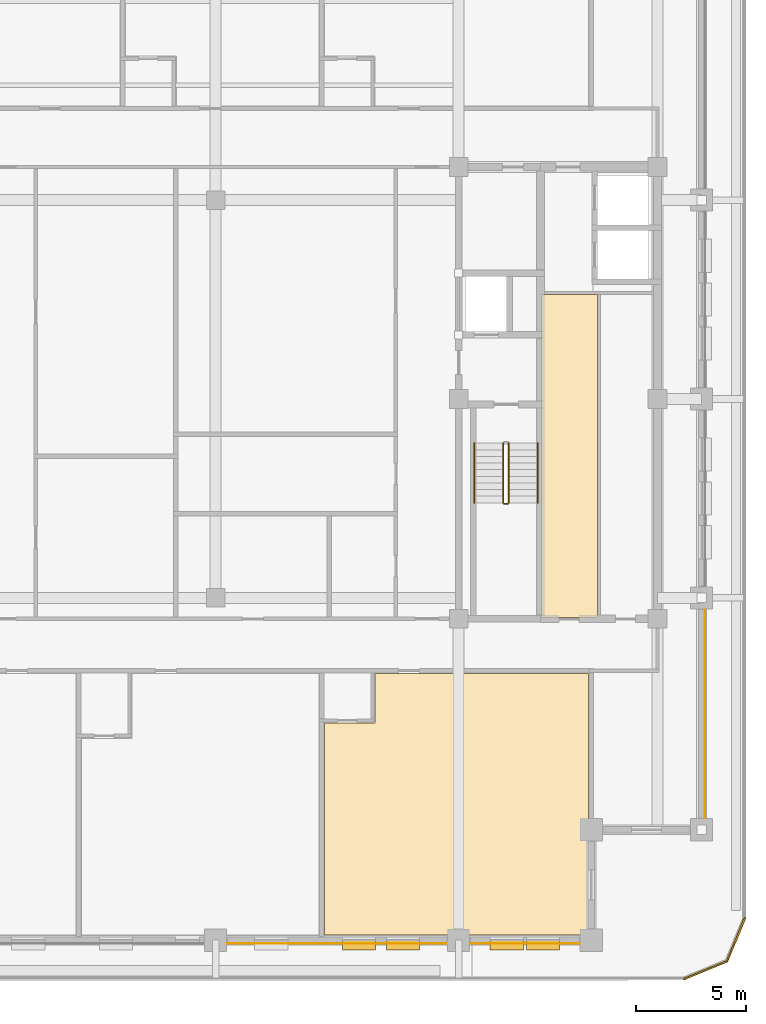
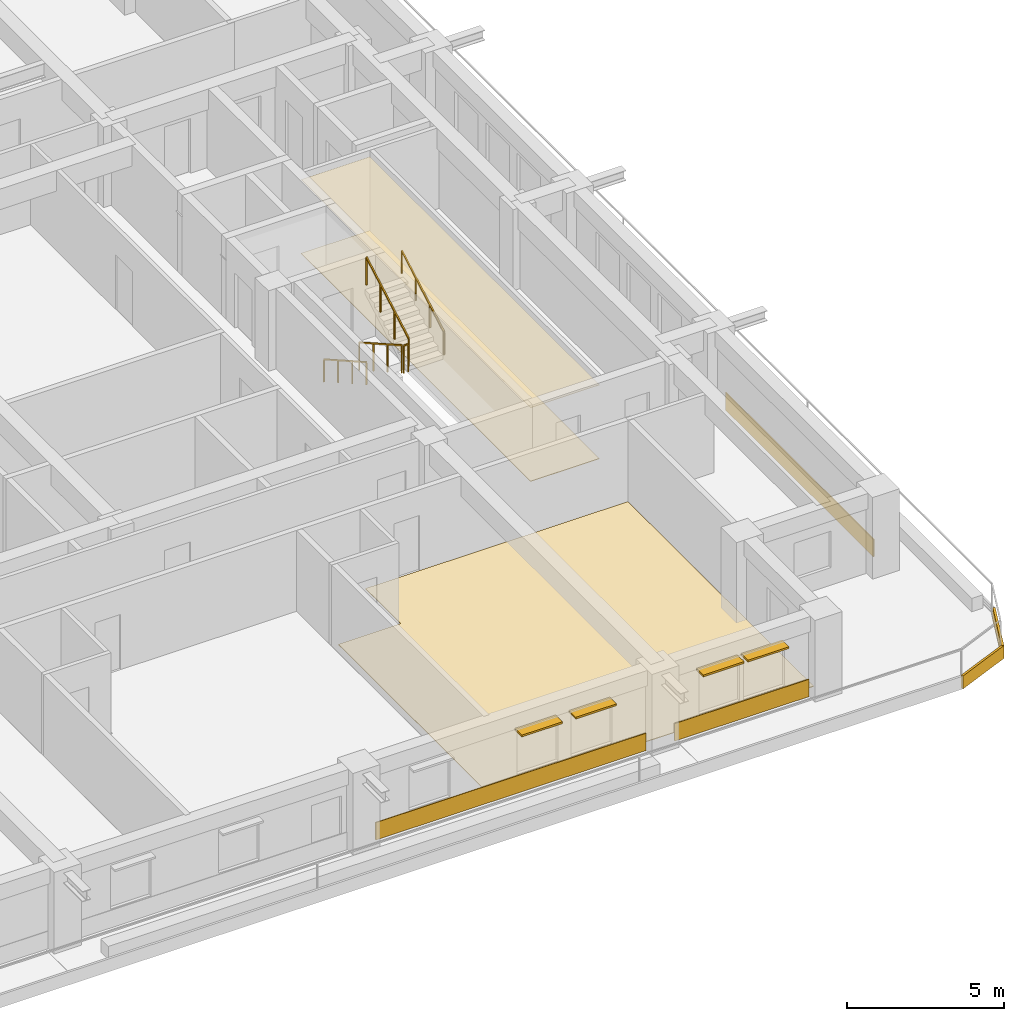
# One storey, part 12 of 14: 8 coverings, 5 railings, 4 shading devices.
"""IFC4 building model written with IfcOpenShell, lengths in metres."""

from ifc_helpers import new_model, si_unit, direction, frame, frame_2d, origin, origin_2d, place, context, subcontext, project, spatial, polyline, rectangle, outline, extrude, material, layer, layer_set, type_object, element, save


model = new_model("IFC4")

# Units and contexts
model_context = context("Model", 3, precision=1e-05, world=origin(), true_north=direction((0.0, 1.0)))
body_context = subcontext(model_context, "Body", "Model", "MODEL_VIEW")
ifc_project = project(units=[si_unit("LENGTHUNIT", "METRE"), si_unit("AREAUNIT", "SQUARE_METRE"), si_unit("VOLUMEUNIT", "CUBIC_METRE"), si_unit("PLANEANGLEUNIT", "RADIAN"), si_unit("MASSUNIT", "GRAM", prefix="KILO")], contexts=[model_context])

# Site, building, storey
site_placement = place(None, origin())
site = spatial("IfcSite", under=ifc_project, at=site_placement, CompositionType="ELEMENT")
building_placement = place(site_placement, origin())
building = spatial("IfcBuilding", under=site, at=building_placement, Name="Zulmaris Gate Convention Tower", CompositionType="ELEMENT")
storey_placement = place(building_placement, frame((0.0, 0.0, 211.85986328125)))
storey = spatial("IfcBuildingStorey", under=building, at=storey_placement, Name="L55", CompositionType="ELEMENT", Elevation=211.85986328125)

# Coverings
ifc_material_1 = material(Name="Precast concrete C40/50", Category="concrete")
ifc_layer_1 = layer(ifc_material_1, 0.0400390625, Name="Precast concrete C40/50")
ifc_layer_set_1 = layer_set([ifc_layer_1], Name="Precast concrete C40/50")
covering_type_1 = type_object("IfcCoveringType", Name="CLAD-SPANDREL-PRECAST", PredefinedType="CLADDING", material=ifc_layer_set_1)
covering_1_placement = place(storey_placement, frame((0.530029296875, -24.64990234375, 0.0), z_axis=(0.0, 0.0, 1.0), x_axis=(1.0, 0.0, 0.0)))
element("IfcCovering", 1, at=covering_1_placement, inside=storey, type_object=covering_type_1, Name="CLD-L55-S-2_0", PredefinedType="CLADDING", context=body_context, shape_type="SweptSolid", body=[
    extrude(rectangle(XDim=9.93994140625, YDim=0.0400390625, at=frame_2d((4.969970703125, 0.0))), origin(), (0.0, 0.0, 1.0), 0.679931640625),
])
covering_2_placement = place(storey_placement, frame((11.530029296875, -24.64990234375, 0.0), z_axis=(0.0, 0.0, 1.0), x_axis=(1.0, 0.0, 0.0)))
element("IfcCovering", 2, at=covering_2_placement, inside=storey, type_object=covering_type_1, Name="CLD-L55-S-3_0", PredefinedType="CLADDING", context=body_context, shape_type="SweptSolid", body=[
    extrude(rectangle(XDim=4.93994140625, YDim=0.0400390625, at=frame_2d((2.469970703125, 0.0))), origin(), (0.0, 0.0, 1.0), 0.679931640625),
])
covering_3_placement = place(storey_placement, frame((22.14990234375, -18.969970703125, 0.0), z_axis=(0.0, 0.0, 1.0), x_axis=(0.0, 1.0, 0.0)))
element("IfcCovering", 3, at=covering_3_placement, inside=storey, type_object=covering_type_1, Name="CLD-L55-E-0_0", PredefinedType="CLADDING", context=body_context, shape_type="SweptSolid", body=[
    extrude(rectangle(XDim=9.43994140625, YDim=0.0400390625, at=frame_2d((4.719970703125, 0.0))), origin(), (0.0, 0.0, 1.0), 0.679931640625),
])
ifc_material_2 = material(Name="White Glazed Architectural Precast Concrete C40/50", Category="concrete")
ifc_layer_2 = layer(ifc_material_2, 0.080078125, Name="White Glazed Architectural Precast Concrete C40/50")
ifc_layer_set_2 = layer_set([ifc_layer_2], Name="White Glazed Architectural Precast Concrete C40/50")
covering_type_2 = type_object("IfcCoveringType", Name="CLAD-TRAY-FASCIA", PredefinedType="CLADDING", material=ifc_layer_set_2)
covering_4_placement = place(storey_placement, frame((21.184814453125, -26.262939453125, -0.364990234375), z_axis=(0.0, 0.0, 1.0), x_axis=(0.923873803533, 0.382697263049, 0.0)))
element("IfcCovering", 4, at=covering_4_placement, inside=storey, type_object=covering_type_2, Name="FSC-L55-TR-03", PredefinedType="CLADDING", context=body_context, shape_type="SweptSolid", body=[
    extrude(rectangle(XDim=2.142822265625, YDim=0.080078125, at=frame_2d((1.0712890625, 0.0))), origin(), (0.0, 0.0, 1.0), 0.5),
])
covering_5_placement = place(storey_placement, frame((23.142822265625, -25.464599609375, -0.364990234375), z_axis=(0.0, 0.0, 1.0), x_axis=(0.382656984709, 0.923890487046, 0.0)))
element("IfcCovering", 5, at=covering_5_placement, inside=storey, type_object=covering_type_2, Name="FSC-L55-TR-04", PredefinedType="CLADDING", context=body_context, shape_type="SweptSolid", body=[
    extrude(rectangle(XDim=2.14306640625, YDim=0.080078125, at=frame_2d((1.071533203125, 0.0))), origin(), (0.0, 0.0, 1.0), 0.5),
])
ifc_material_3 = material(Name="Mineral Fibre Acoustic Ceiling Tile")
ifc_layer_3 = layer(ifc_material_3, 0.02001953125, Name="Mineral Fibre Acoustic Ceiling Tile")
ifc_layer_set_3 = layer_set([ifc_layer_3], Name="Mineral Fibre Acoustic Ceiling Tile")
covering_type_3 = type_object("IfcCoveringType", Name="CLG-ACOUSTIC-600", PredefinedType="CEILING", material=ifc_layer_set_3)
covering_6_placement = place(storey_placement, frame((0.0, 0.0, 2.8701171875)))
element("IfcCovering", 6, at=covering_6_placement, inside=storey, type_object=covering_type_3, Name="CLG-L55-R24", PredefinedType="CEILING", context=body_context, shape_type="SweptSolid", body=[
    extrude(outline(polyline([(14.760009765625, -9.889892578125), (17.2900390625, -9.889892578125), (17.2900390625, 4.739990234375), (14.760009765625, 4.739990234375), (14.760009765625, -9.889892578125)])), origin(), (0.0, 0.0, 1.0), 0.02001953125),
])
ifc_material_4 = material(Name="Woven Acoustic Wool Carpet Tile")
ifc_layer_4 = layer(ifc_material_4, 0.02001953125, Name="Woven Acoustic Wool Carpet Tile")
ifc_layer_set_4 = layer_set([ifc_layer_4], Name="Woven Acoustic Wool Carpet Tile")
covering_type_4 = type_object("IfcCoveringType", Name="FLR-CARPET-12", PredefinedType="FLOORING", material=ifc_layer_set_4)
covering_7_placement = place(storey_placement, origin())
element("IfcCovering", 7, at=covering_7_placement, inside=storey, type_object=covering_type_4, Name="FLR-L55-R24", PredefinedType="FLOORING", context=body_context, shape_type="SweptSolid", body=[
    extrude(outline(polyline([(14.760009765625, -9.889892578125), (17.2900390625, -9.889892578125), (17.2900390625, 4.739990234375), (14.760009765625, 4.739990234375), (14.760009765625, -9.889892578125)])), origin(), (0.0, 0.0, 1.0), 0.02001953125),
])
ifc_material_5 = material(Name="Engineered Teak Parquet Flooring")
ifc_layer_5 = layer(ifc_material_5, 0.02001953125, Name="Engineered Teak Parquet Flooring")
ifc_layer_set_5 = layer_set([ifc_layer_5], Name="Engineered Teak Parquet Flooring")
covering_type_5 = type_object("IfcCoveringType", Name="FLR-TIMBER-18", PredefinedType="FLOORING", material=ifc_layer_set_5)
covering_8_placement = place(storey_placement, origin())
element("IfcCovering", 8, at=covering_8_placement, inside=storey, type_object=covering_type_5, Name="FLR-L55-R46", PredefinedType="FLOORING", context=body_context, shape_type="SweptSolid", body=[
    extrude(outline(polyline([(4.919921875, -24.260009765625), (16.8798828125, -24.260009765625), (16.8798828125, -12.419921875), (7.219970703125, -12.419921875), (7.219970703125, -14.669921875), (4.919921875, -14.669921875), (4.919921875, -24.260009765625)])), origin(), (0.0, 0.0, 1.0), 0.02001953125),
])

# Railings
ifc_material_6 = material(Name="Painted Galvanised Steel", Category="steel")
railing_type_1 = type_object("IfcRailingType", Name="RL-STG-1150", PredefinedType="GUARDRAIL", material=ifc_material_6)
railing_1_placement = place(storey_placement, frame((13.010009765625, -2.0, 0.169921875)))
element("IfcRailing", 9, at=railing_1_placement, inside=storey, type_object=railing_type_1, Name="L55 ST-2 stair guard 1", PredefinedType="GUARDRAIL", context=body_context, shape_type="SweptSolid", body=[
    extrude(rectangle(XDim=0.048095703125, YDim=0.048095703125, at=origin_2d()), frame((0.0, 0.0, 1.076171875), z_axis=(0.0, -0.869980566543, 0.493086010588), x_axis=(1.0, 0.0, 0.0)), (0.0, 0.0, 1.0), 3.103515625),
    extrude(rectangle(XDim=0.0419921875, YDim=0.0419921875, at=origin_2d()), origin(), (0.0, 0.0, 1.0), 1.052001953125),
    extrude(rectangle(XDim=0.0419921875, YDim=0.0419921875, at=origin_2d()), frame((0.0, -0.89990234375, 0.510009765625)), (0.0, 0.0, 1.0), 1.052001953125),
    extrude(rectangle(XDim=0.0419921875, YDim=0.0419921875, at=origin_2d()), frame((0.0, -1.800048828125, 1.020263671875)), (0.0, 0.0, 1.0), 1.052001953125),
    extrude(rectangle(XDim=0.0419921875, YDim=0.0419921875, at=origin_2d()), frame((0.0, -2.699951171875, 1.5302734375)), (0.0, 0.0, 1.0), 1.052001953125),
])
railing_2_placement = place(storey_placement, frame((13.06005859375, -4.75, 1.7001953125)))
element("IfcRailing", 10, at=railing_2_placement, inside=storey, type_object=railing_type_1, Name="L55 ST-2 stair guard 2", PredefinedType="GUARDRAIL", context=body_context, shape_type="SweptSolid", body=[
    extrude(rectangle(XDim=0.048095703125, YDim=0.048095703125, at=origin_2d()), frame((0.0, 0.0, 1.076171875), z_axis=(1.0, 0.0, 0.0), x_axis=(0.0, 1.0, 0.0)), (0.0, 0.0, 1.0), 0.159912109375),
    extrude(rectangle(XDim=0.0419921875, YDim=0.0419921875, at=origin_2d()), origin(), (0.0, 0.0, 1.0), 1.052001953125),
    extrude(rectangle(XDim=0.0419921875, YDim=0.0419921875, at=origin_2d()), frame((0.159912109375, 0.0, 0.0)), (0.0, 0.0, 1.0), 1.052001953125),
])
railing_3_placement = place(storey_placement, frame((13.27001953125, -4.699951171875, 1.8701171875)))
element("IfcRailing", 11, at=railing_3_placement, inside=storey, type_object=railing_type_1, Name="L55 ST-2 stair guard 3", PredefinedType="GUARDRAIL", context=body_context, shape_type="SweptSolid", body=[
    extrude(rectangle(XDim=0.048095703125, YDim=0.048095703125, at=origin_2d()), frame((0.0, 0.0, 1.076171875), z_axis=(0.0, 0.870014312096, 0.49302646658), x_axis=(-1.0, 0.0, 0.0)), (0.0, 0.0, 1.0), 3.103271484375),
    extrude(rectangle(XDim=0.0419921875, YDim=0.0419921875, at=origin_2d()), origin(), (0.0, 0.0, 1.0), 1.052001953125),
    extrude(rectangle(XDim=0.0419921875, YDim=0.0419921875, at=origin_2d()), frame((0.0, 0.89990234375, 0.510009765625)), (0.0, 0.0, 1.0), 1.052001953125),
    extrude(rectangle(XDim=0.0419921875, YDim=0.0419921875, at=origin_2d()), frame((0.0, 1.800048828125, 1.02001953125)), (0.0, 0.0, 1.0), 1.052001953125),
    extrude(rectangle(XDim=0.0419921875, YDim=0.0419921875, at=origin_2d()), frame((0.0, 2.699951171875, 1.530029296875)), (0.0, 0.0, 1.0), 1.052001953125),
])
ifc_material_7 = material(Name="Brushed Stainless Steel", Category="steel")
railing_type_2 = type_object("IfcRailingType", Name="RL-STH-900", PredefinedType="HANDRAIL", material=ifc_material_7)
railing_4_placement = place(storey_placement, frame((11.7099609375, -2.0, 0.169921875)))
element("IfcRailing", 12, at=railing_4_placement, inside=storey, type_object=railing_type_2, Name="L55 ST-2 stair handrail 1", PredefinedType="HANDRAIL", context=body_context, shape_type="SweptSolid", body=[
    extrude(rectangle(XDim=0.048095703125, YDim=0.048095703125, at=origin_2d()), frame((0.0, 0.0, 0.8759765625), z_axis=(0.0, -0.869980566543, 0.493086010588), x_axis=(1.0, 0.0, 0.0)), (0.0, 0.0, 1.0), 3.103515625),
    extrude(rectangle(XDim=0.0419921875, YDim=0.0419921875, at=origin_2d()), origin(), (0.0, 0.0, 1.0), 0.851806640625),
    extrude(rectangle(XDim=0.0419921875, YDim=0.0419921875, at=origin_2d()), frame((0.0, -0.89990234375, 0.510009765625)), (0.0, 0.0, 1.0), 0.851806640625),
    extrude(rectangle(XDim=0.0419921875, YDim=0.0419921875, at=origin_2d()), frame((0.0, -1.800048828125, 1.020263671875)), (0.0, 0.0, 1.0), 0.851806640625),
    extrude(rectangle(XDim=0.0419921875, YDim=0.0419921875, at=origin_2d()), frame((0.0, -2.699951171875, 1.5302734375)), (0.0, 0.0, 1.0), 0.851806640625),
])
railing_5_placement = place(storey_placement, frame((14.570068359375, -4.699951171875, 1.8701171875)))
element("IfcRailing", 13, at=railing_5_placement, inside=storey, type_object=railing_type_2, Name="L55 ST-2 stair handrail 2", PredefinedType="HANDRAIL", context=body_context, shape_type="SweptSolid", body=[
    extrude(rectangle(XDim=0.048095703125, YDim=0.048095703125, at=origin_2d()), frame((0.0, 0.0, 0.8759765625), z_axis=(0.0, 0.870014312096, 0.49302646658), x_axis=(-1.0, 0.0, 0.0)), (0.0, 0.0, 1.0), 3.103271484375),
    extrude(rectangle(XDim=0.0419921875, YDim=0.0419921875, at=origin_2d()), origin(), (0.0, 0.0, 1.0), 0.851806640625),
    extrude(rectangle(XDim=0.0419921875, YDim=0.0419921875, at=origin_2d()), frame((0.0, 0.89990234375, 0.510009765625)), (0.0, 0.0, 1.0), 0.851806640625),
    extrude(rectangle(XDim=0.0419921875, YDim=0.0419921875, at=origin_2d()), frame((0.0, 1.800048828125, 1.02001953125)), (0.0, 0.0, 1.0), 0.851806640625),
    extrude(rectangle(XDim=0.0419921875, YDim=0.0419921875, at=origin_2d()), frame((0.0, 2.699951171875, 1.530029296875)), (0.0, 0.0, 1.0), 0.851806640625),
])

# Shading devices
ifc_material_8 = material(Name="Glazed Ceramic Terracotta", Category="masonry")
ifc_layer_6 = layer(ifc_material_8, 0.070068359375, Name="Glazed Ceramic Terracotta")
ifc_layer_set_6 = layer_set([ifc_layer_6], Name="Glazed Ceramic Terracotta")
shading_device_type = type_object("IfcShadingDeviceType", Name="SHD-SUNSHADE-TC", PredefinedType="AWNING", material=ifc_layer_set_6)
for number, where, z_axis, x_axis, name in (
    (14, (5.743896484375, -24.719970703125, 2.35009765625), (0.0, 0.0, 1.0), (1.0, 0.0, 0.0), "SHD-EW-L55-S-2_0-3"),
    (15, (7.73193359375, -24.719970703125, 2.35009765625), (0.0, 0.0, 1.0), (1.0, 0.0, 0.0), "SHD-EW-L55-S-2_0-4"),
    (16, (12.427001953125, -24.719970703125, 2.35009765625), (0.0, 0.0, 1.0), (1.0, 0.0, 0.0), "SHD-EW-L55-S-3_0-1"),
    (17, (14.072998046875, -24.719970703125, 2.35009765625), (0.0, 0.0, 1.0), (1.0, 0.0, 0.0), "SHD-EW-L55-S-3_0-2"),
):
    element("IfcShadingDevice", number, at=place(storey_placement, frame(where, z_axis=z_axis, x_axis=x_axis)), inside=storey, type_object=shading_device_type, Name=name, PredefinedType="AWNING", context=body_context, shape_type="SweptSolid", body=[
        extrude(rectangle(XDim=1.5, YDim=0.43994140625, at=frame_2d((0.75, 0.0))), origin(), (0.0, 0.0, 1.0), 0.06982421875),
    ])

save(model, "model.ifc")
